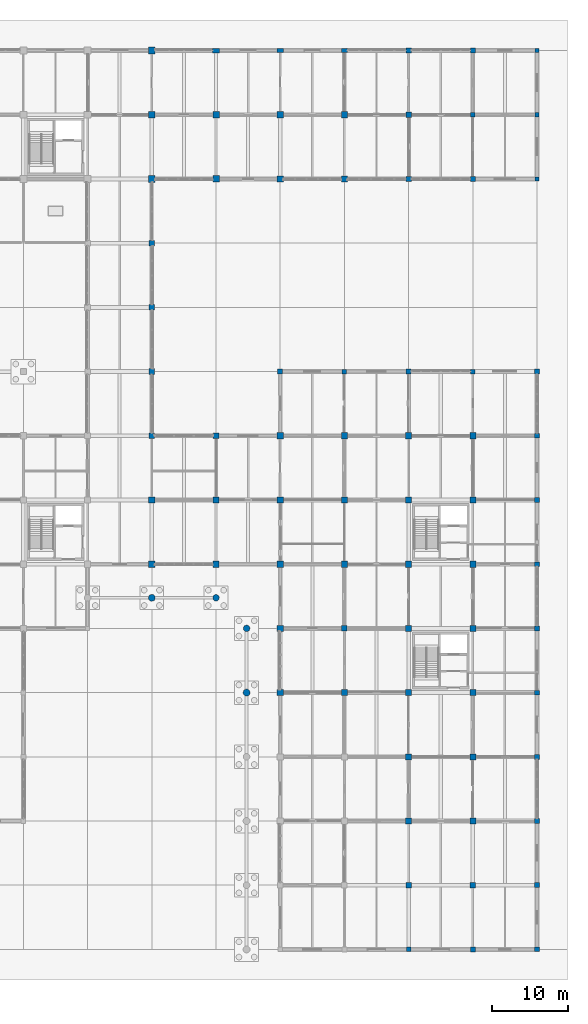
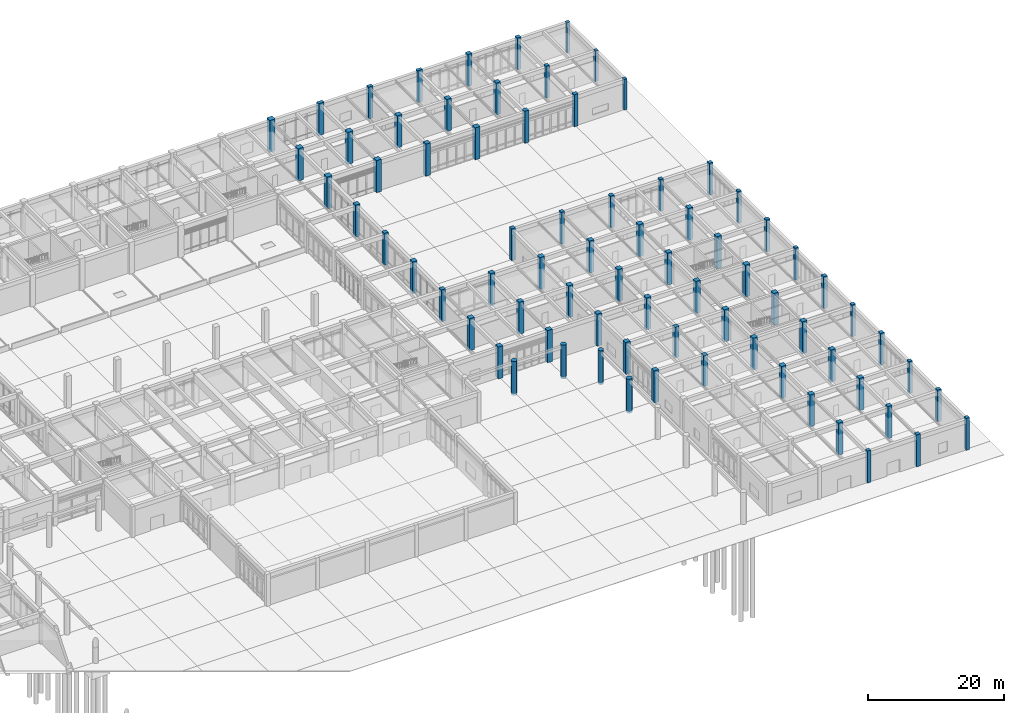
# One storey, part 3 of 91: 76 columns.
"""IFC4 building model written with IfcOpenShell, lengths in metres."""

import ifcopenshell
import ifcopenshell.guid

model = None  # the IFC model being written
_history = None  # IfcOwnerHistory: only IFC2X3 demands one
_inside = {}  # id of a spatial element -> (the spatial element, [elements in it])
_under = {}  # id of a project, library or spatial element -> (it, [spatial elements below it])
_declared = {}  # id of a project -> (the project, [libraries it declares])
_typed = {}  # id of a type object -> (the type object, [elements of that type])
_made_of = {}  # id of a material, layer set ... -> (it, [elements and type objects made of it])


def new_model(schema):
    """Start an empty IFC model of exactly this schema.

    Asked for "IFC4X3", IfcOpenShell would pick the latest addendum, in which some entities
    have other attributes; the version numbers below select the first issue.
    IFC2X3 requires an IfcOwnerHistory on every rooted entity: one is made here for all.
    """
    global model, _history
    if schema == "IFC4X3":
        model = ifcopenshell.file(schema_version=(4, 3, 0, 0))
    else:
        model = ifcopenshell.file(schema=schema)
    _inside.clear()
    _under.clear()
    _declared.clear()
    _typed.clear()
    _made_of.clear()
    _history = None
    if model.schema == "IFC2X3":
        org = make("IfcOrganization", Name="unknown")
        user = make(
            "IfcPersonAndOrganization",
            ThePerson=make("IfcPerson", FamilyName="unknown"),
            TheOrganization=org,
        )
        app = make(
            "IfcApplication",
            ApplicationDeveloper=org,
            Version="unknown",
            ApplicationFullName="unknown",
            ApplicationIdentifier="unknown",
        )
        _history = make(
            "IfcOwnerHistory",
            OwningUser=user,
            OwningApplication=app,
            ChangeAction="ADDED",
            CreationDate=0,
        )
    return model


def make(cls, **values):
    """One entity of the class cls with the attributes given. An attribute that is None is left unset."""
    return model.create_entity(
        cls, **{name: value for name, value in values.items() if value is not None}
    )


def rooted(cls, **values):
    """An entity with a GlobalId (a new one), such as an element, a storey or a relation."""
    return make(cls, GlobalId=ifcopenshell.guid.new(), OwnerHistory=_history, **values)


def si_unit(unit_type, name, prefix=None):
    """IfcSIUnit, for example si_unit("LENGTHUNIT", "METRE", prefix="MILLI")."""
    return make("IfcSIUnit", UnitType=unit_type, Prefix=prefix, Name=name)


def assignment(units):
    """IfcUnitAssignment: the units of a project."""
    return None if units is None else make("IfcUnitAssignment", Units=units)


def point(xyz):
    """IfcCartesianPoint."""
    return None if xyz is None else make("IfcCartesianPoint", Coordinates=xyz)


def direction(xyz):
    """IfcDirection."""
    return None if xyz is None else make("IfcDirection", DirectionRatios=xyz)


def frame(location, z_axis=None, x_axis=None):
    """IfcAxis2Placement3D, a coordinate frame: its origin and axes. An axis left out is left unset."""
    return make(
        "IfcAxis2Placement3D",
        Location=point(location),
        Axis=direction(z_axis),
        RefDirection=direction(x_axis),
    )


def frame_2d(location, x_axis=None):
    """IfcAxis2Placement2D, a coordinate frame in the plane: its origin and x axis."""
    return make(
        "IfcAxis2Placement2D", Location=point(location), RefDirection=direction(x_axis)
    )


def origin():
    """The frame at (0, 0, 0) with its axes left unset."""
    return frame((0.0, 0.0, 0.0))


def origin_2d():
    """The frame at (0, 0) in the plane with its x axis left unset."""
    return frame_2d((0.0, 0.0))


def place(relative_to, where):
    """IfcLocalPlacement: puts the frame where relative to a parent placement (None: the world)."""
    return make(
        "IfcLocalPlacement", PlacementRelTo=relative_to, RelativePlacement=where
    )


def context(
    kind, dimensions, precision=None, world=None, true_north=None, identifier=None
):
    """IfcGeometricRepresentationContext, for example the 3D "Model" context."""
    return make(
        "IfcGeometricRepresentationContext",
        ContextIdentifier=identifier,
        ContextType=kind,
        CoordinateSpaceDimension=dimensions,
        Precision=precision,
        WorldCoordinateSystem=world,
        TrueNorth=true_north,
    )


def subcontext(parent, identifier, kind, view, scale=None):
    """IfcGeometricRepresentationSubContext, for example "Body" below "Model"."""
    return make(
        "IfcGeometricRepresentationSubContext",
        ContextIdentifier=identifier,
        ContextType=kind,
        ParentContext=parent,
        TargetScale=scale,
        TargetView=view,
    )


def project(units=None, contexts=None):
    """IfcProject with its units and contexts."""
    return rooted(
        "IfcProject",
        Name="project",
        RepresentationContexts=contexts,
        UnitsInContext=assignment(units),
    )


def spatial(cls, under=None, at=None, **own):
    """A site, building, storey or space (cls), placed at a placement, below another one or the project."""
    s = rooted(cls, ObjectPlacement=at, **own)
    if under is not None:
        _under.setdefault(under.id(), (under, []))[1].append(s)
    return s


def profile(cls, at=None, kind="AREA", **sizes):
    """A parametric profile (cls). Its sizes go by their IFC names, for example OverallWidth=200.0."""
    return make(cls, ProfileType=kind, Position=at, **sizes)


def rectangle(**sizes):
    """IfcRectangleProfileDef."""
    return profile("IfcRectangleProfileDef", **sizes)


def circle(**sizes):
    """IfcCircleProfileDef."""
    return profile("IfcCircleProfileDef", **sizes)


def extrude(swept, where, along, depth):
    """IfcExtrudedAreaSolid: the profile swept, set in the frame where, extruded along a direction by depth."""
    return make(
        "IfcExtrudedAreaSolid",
        SweptArea=swept,
        Position=where,
        ExtrudedDirection=direction(along),
        Depth=depth,
    )


def shape(context_of_items, identifier, shape_type, items):
    """IfcShapeRepresentation: the items that make up one representation, for example the "Body"."""
    return make(
        "IfcShapeRepresentation",
        ContextOfItems=context_of_items,
        RepresentationIdentifier=identifier,
        RepresentationType=shape_type,
        Items=items,
    )


def material(Name=None, Category=None):
    """IfcMaterial."""
    return make("IfcMaterial", Name=Name, Category=Category)


def material_profile(
    of_material, cross_section, Name=None, Category=None, Priority=None
):
    """IfcMaterialProfile: a cross section and its material."""
    return make(
        "IfcMaterialProfile",
        Name=Name,
        Material=of_material,
        Profile=cross_section,
        Priority=Priority,
        Category=Category,
    )


def profile_set(profiles, Name=None, composite=None):
    """IfcMaterialProfileSet."""
    return make(
        "IfcMaterialProfileSet",
        Name=Name,
        MaterialProfiles=profiles,
        CompositeProfile=composite,
    )


def made_of(thing, what):
    """Note that an element or type object is made of a material, layer set ...; save() writes the relation."""
    if what is not None:
        _made_of.setdefault(what.id(), (what, []))[1].append(thing)
    return thing


def type_object(cls, material=None, **own):
    """A type object (cls), such as IfcWallType, which elements share."""
    return made_of(rooted(cls, **own), material)


def element(
    cls,
    number,
    at=None,
    inside=None,
    cuts=None,
    type_object=None,
    material=None,
    context=None,
    identifier="Body",
    shape_type=None,
    held_by="IfcProductDefinitionShape",
    body=None,
    shapes=None,
    **own,
):
    """One element of the class cls, such as IfcWall. Its Tag is "e" and its number.

    at: its placement. inside: the storey or other place that contains it. cuts: it is an
    opening in that element (IfcRelVoidsElement). A single representation is given by context,
    identifier, shape_type and body (its items); several are given by shapes. held_by: the class
    of the entity that holds the representations. save() writes the other relations.
    """
    e = rooted(cls, Tag="e%d" % number, ObjectPlacement=at, **own)
    if body is not None:
        shapes = [shape(context, identifier, shape_type, body)]
    if shapes is not None:
        e.Representation = make(held_by, Representations=shapes)
    if inside is not None:
        _inside.setdefault(inside.id(), (inside, []))[1].append(e)
    if cuts is not None:
        rooted(
            "IfcRelVoidsElement", RelatingBuildingElement=cuts, RelatedOpeningElement=e
        )
    if type_object is not None:
        _typed.setdefault(type_object.id(), (type_object, []))[1].append(e)
    return made_of(e, material)


def aggregate(whole, parts):
    """IfcRelAggregates: a whole, such as a stair, and the parts it consists of."""
    return rooted("IfcRelAggregates", RelatingObject=whole, RelatedObjects=parts)


def save(model, path):
    """Write the relations noted so far, then the file.

    IfcRelAggregates (storeys below a building ...), IfcRelContainedInSpatialStructure (elements
    in a storey), IfcRelDefinesByType, IfcRelAssociatesMaterial and IfcRelDeclares: one each for
    every whole, place, type object, material and project.
    """
    for whole, parts in _under.values():
        aggregate(whole, parts)
    for where, things in _inside.values():
        rooted(
            "IfcRelContainedInSpatialStructure",
            RelatedElements=things,
            RelatingStructure=where,
        )
    for kind, things in _typed.values():
        rooted("IfcRelDefinesByType", RelatedObjects=things, RelatingType=kind)
    for what, things in _made_of.values():
        rooted("IfcRelAssociatesMaterial", RelatedObjects=things, RelatingMaterial=what)
    for by, libraries in _declared.values():
        rooted("IfcRelDeclares", RelatingContext=by, RelatedDefinitions=libraries)
    model.write(path)


model = new_model("IFC4")

# Units and contexts
model_context = context("Model", 3, precision=1e-05, world=origin(), true_north=direction((0.0, 1.0)))
body_context = subcontext(model_context, "Body", "Model", "MODEL_VIEW")
ifc_project = project(units=[si_unit("LENGTHUNIT", "METRE"), si_unit("AREAUNIT", "SQUARE_METRE"), si_unit("VOLUMEUNIT", "CUBIC_METRE"), si_unit("PLANEANGLEUNIT", "RADIAN"), si_unit("MASSUNIT", "GRAM", prefix="KILO")], contexts=[model_context])

# Site, building, storey
site_placement = place(None, origin())
site = spatial("IfcSite", under=ifc_project, at=site_placement, CompositionType="ELEMENT")
building_placement = place(site_placement, origin())
building = spatial("IfcBuilding", under=site, at=building_placement, Name="Porcellanite Civic Hall", CompositionType="ELEMENT")
storey_placement = place(building_placement, origin())
storey = spatial("IfcBuildingStorey", under=building, at=storey_placement, Name="L00", CompositionType="ELEMENT", Elevation=0.0)

# Columns
ifc_material_1 = material(Name="Concrete N50 (50 MPa)", Category="concrete")
ifc_material_profile_1 = material_profile(ifc_material_1, rectangle(XDim=0.550048828125, YDim=0.550048828125, at=origin_2d()), Name="RC-550x550")
ifc_profile_set_1 = profile_set([ifc_material_profile_1], Name="Concrete N50 (50 MPa)")
column_type_1 = type_object("IfcColumnType", Name="COL-550", PredefinedType="COLUMN", material=ifc_profile_set_1)
for number, where, z_axis, x_axis, name in (
    (1, (176.39990234375, 100.800048828125, 0.0), (0.0, 0.0, 1.0), (1.0, 0.0, 0.0), "Column L00 21-12"),
    (2, (176.39990234375, 109.199951171875, 0.0), (0.0, 0.0, 1.0), (1.0, 0.0, 0.0), "Column L00 21-13"),
    (3, (176.39990234375, 117.60009765625, 0.0), (0.0, 0.0, 1.0), (1.0, 0.0, 0.0), "Column L00 21-14"),
):
    element("IfcColumn", number, at=place(storey_placement, frame(where, z_axis=z_axis, x_axis=x_axis)), inside=storey, type_object=column_type_1, Name=name, PredefinedType="COLUMN", context=body_context, shape_type="SweptSolid", body=[
        extrude(rectangle(XDim=0.550048828125, YDim=0.550048828125, at=origin_2d()), origin(), (0.0, 0.0, 1.0), 5.510009765625),
    ])
ifc_material_2 = material(Name="Concrete N50 (50 MPa)", Category="concrete")
ifc_material_profile_2 = material_profile(ifc_material_2, rectangle(XDim=0.60009765625, YDim=0.60009765625, at=origin_2d()), Name="RC-600x600")
ifc_profile_set_2 = profile_set([ifc_material_profile_2], Name="Concrete N50 (50 MPa)")
column_type_2 = type_object("IfcColumnType", Name="COL-600", PredefinedType="COLUMN", material=ifc_profile_set_2)
for number, where, z_axis, x_axis, name in (
    (4, (151.199951171875, 75.60009765625, 0.0), (0.0, 0.0, 1.0), (1.0, 0.0, 0.0), "Column L00 18-9"),
    (5, (159.60009765625, 0.0, 0.0), (0.0, 0.0, 1.0), (1.0, 0.0, 0.0), "Column L00 19-0"),
    (6, (168.0, 75.60009765625, 0.0), (0.0, 0.0, 1.0), (1.0, 0.0, 0.0), "Column L00 20-9"),
    (7, (168.0, 109.199951171875, 0.0), (0.0, 0.0, 1.0), (1.0, 0.0, 0.0), "Column L00 20-13"),
    (8, (176.39990234375, 0.0, 0.0), (0.0, 0.0, 1.0), (1.0, 0.0, 0.0), "Column L00 21-0"),
    (9, (176.39990234375, 16.800048828125, 0.0), (0.0, 0.0, 1.0), (1.0, 0.0, 0.0), "Column L00 21-2"),
    (10, (176.39990234375, 33.60009765625, 0.0), (0.0, 0.0, 1.0), (1.0, 0.0, 0.0), "Column L00 21-4"),
    (11, (176.39990234375, 50.39990234375, 0.0), (0.0, 0.0, 1.0), (1.0, 0.0, 0.0), "Column L00 21-6"),
    (12, (176.39990234375, 67.199951171875, 0.0), (0.0, 0.0, 1.0), (1.0, 0.0, 0.0), "Column L00 21-8"),
):
    element("IfcColumn", number, at=place(storey_placement, frame(where, z_axis=z_axis, x_axis=x_axis)), inside=storey, type_object=column_type_2, Name=name, PredefinedType="COLUMN", context=body_context, shape_type="SweptSolid", body=[
        extrude(rectangle(XDim=0.60009765625, YDim=0.60009765625, at=origin_2d()), origin(), (0.0, 0.0, 1.0), 5.760009765625),
    ])
ifc_material_3 = material(Name="Concrete N50 (50 MPa)", Category="concrete")
ifc_material_profile_3 = material_profile(ifc_material_3, rectangle(XDim=0.64990234375, YDim=0.64990234375, at=origin_2d()), Name="RC-650x650")
ifc_profile_set_3 = profile_set([ifc_material_profile_3], Name="Concrete N50 (50 MPa)")
column_type_3 = type_object("IfcColumnType", Name="COL-650", PredefinedType="COLUMN", material=ifc_profile_set_3)
for number, where, z_axis, x_axis, name in (
    (13, (142.800048828125, 75.60009765625, 0.0), (0.0, 0.0, 1.0), (1.0, 0.0, 0.0), "Column L00 17-9"),
    (14, (159.60009765625, 75.60009765625, 0.0), (0.0, 0.0, 1.0), (1.0, 0.0, 0.0), "Column L00 19-9"),
    (15, (168.0, 0.0, 0.0), (0.0, 0.0, 1.0), (1.0, 0.0, 0.0), "Column L00 20-0"),
    (16, (168.0, 100.800048828125, 0.0), (0.0, 0.0, 1.0), (1.0, 0.0, 0.0), "Column L00 20-12"),
    (17, (168.0, 117.60009765625, 0.0), (0.0, 0.0, 1.0), (1.0, 0.0, 0.0), "Column L00 20-14"),
    (18, (176.39990234375, 8.39990234375, 0.0), (0.0, 0.0, 1.0), (1.0, 0.0, 0.0), "Column L00 21-1"),
    (19, (176.39990234375, 25.199951171875, 0.0), (0.0, 0.0, 1.0), (1.0, 0.0, 0.0), "Column L00 21-3"),
    (20, (176.39990234375, 42.0, 0.0), (0.0, 0.0, 1.0), (1.0, 0.0, 0.0), "Column L00 21-5"),
    (21, (176.39990234375, 58.800048828125, 0.0), (0.0, 0.0, 1.0), (1.0, 0.0, 0.0), "Column L00 21-7"),
    (22, (176.39990234375, 75.60009765625, 0.0), (0.0, 0.0, 1.0), (1.0, 0.0, 0.0), "Column L00 21-9"),
):
    element("IfcColumn", number, at=place(storey_placement, frame(where, z_axis=z_axis, x_axis=x_axis)), inside=storey, type_object=column_type_3, Name=name, PredefinedType="COLUMN", context=body_context, shape_type="SweptSolid", body=[
        extrude(rectangle(XDim=0.64990234375, YDim=0.64990234375, at=origin_2d()), origin(), (0.0, 0.0, 1.0), 5.760009765625),
    ])
ifc_material_4 = material(Name="Concrete N50 (50 MPa)", Category="concrete")
ifc_material_profile_4 = material_profile(ifc_material_4, rectangle(XDim=0.699951171875, YDim=0.699951171875, at=origin_2d()), Name="RC-700x700")
ifc_profile_set_4 = profile_set([ifc_material_profile_4], Name="Concrete N50 (50 MPa)")
column_type_4 = type_object("IfcColumnType", Name="COL-700", PredefinedType="COLUMN", material=ifc_profile_set_4)
for number, where, z_axis, x_axis, name in (
    (23, (126.0, 67.199951171875, 0.0), (0.0, 0.0, 1.0), (1.0, 0.0, 0.0), "Column L00 15-8"),
    (24, (126.0, 84.0, 0.0), (0.0, 0.0, 1.0), (1.0, 0.0, 0.0), "Column L00 15-10"),
):
    element("IfcColumn", number, at=place(storey_placement, frame(where, z_axis=z_axis, x_axis=x_axis)), inside=storey, type_object=column_type_4, Name=name, PredefinedType="COLUMN", context=body_context, shape_type="SweptSolid", body=[
        extrude(rectangle(XDim=0.699951171875, YDim=0.699951171875, at=origin_2d()), origin(), (0.0, 0.0, 1.0), 5.760009765625),
    ])
column_1_placement = place(storey_placement, frame((151.199951171875, 42.0, 0.0), z_axis=(0.0, 0.0, 1.0), x_axis=(1.0, 0.0, 0.0)))
element("IfcColumn", 25, at=column_1_placement, inside=storey, type_object=column_type_4, Name="Column L00 18-5", PredefinedType="COLUMN", context=body_context, shape_type="SweptSolid", body=[
    extrude(rectangle(XDim=0.699951171875, YDim=0.699951171875, at=origin_2d()), origin(), (0.0, 0.0, 1.0), 5.510009765625),
])
for number, where, z_axis, x_axis, name in (
    (26, (159.60009765625, 100.800048828125, 0.0), (0.0, 0.0, 1.0), (1.0, 0.0, 0.0), "Column L00 19-12"),
    (27, (159.60009765625, 117.60009765625, 0.0), (0.0, 0.0, 1.0), (1.0, 0.0, 0.0), "Column L00 19-14"),
    (28, (168.0, 8.39990234375, 0.0), (0.0, 0.0, 1.0), (1.0, 0.0, 0.0), "Column L00 20-1"),
):
    element("IfcColumn", number, at=place(storey_placement, frame(where, z_axis=z_axis, x_axis=x_axis)), inside=storey, type_object=column_type_4, Name=name, PredefinedType="COLUMN", context=body_context, shape_type="SweptSolid", body=[
        extrude(rectangle(XDim=0.699951171875, YDim=0.699951171875, at=origin_2d()), origin(), (0.0, 0.0, 1.0), 5.760009765625),
    ])
ifc_material_5 = material(Name="Concrete N50 (50 MPa)", Category="concrete")
ifc_material_profile_5 = material_profile(ifc_material_5, rectangle(XDim=0.75, YDim=0.75, at=origin_2d()), Name="RC-750x750")
ifc_profile_set_5 = profile_set([ifc_material_profile_5], Name="Concrete N50 (50 MPa)")
column_type_5 = type_object("IfcColumnType", Name="COL-750", PredefinedType="COLUMN", material=ifc_profile_set_5)
for number, where, z_axis, x_axis, name in (
    (29, (126.0, 75.60009765625, 0.0), (0.0, 0.0, 1.0), (1.0, 0.0, 0.0), "Column L00 15-9"),
    (30, (126.0, 92.39990234375, 0.0), (0.0, 0.0, 1.0), (1.0, 0.0, 0.0), "Column L00 15-11"),
    (31, (134.39990234375, 67.199951171875, 0.0), (0.0, 0.0, 1.0), (1.0, 0.0, 0.0), "Column L00 16-8"),
):
    element("IfcColumn", number, at=place(storey_placement, frame(where, z_axis=z_axis, x_axis=x_axis)), inside=storey, type_object=column_type_5, Name=name, PredefinedType="COLUMN", context=body_context, shape_type="SweptSolid", body=[
        extrude(rectangle(XDim=0.75, YDim=0.75, at=origin_2d()), origin(), (0.0, 0.0, 1.0), 5.760009765625),
    ])
column_2_placement = place(storey_placement, frame((151.199951171875, 33.60009765625, 0.0), z_axis=(0.0, 0.0, 1.0), x_axis=(1.0, 0.0, 0.0)))
element("IfcColumn", 32, at=column_2_placement, inside=storey, type_object=column_type_5, Name="Column L00 18-4", PredefinedType="COLUMN", context=body_context, shape_type="SweptSolid", body=[
    extrude(rectangle(XDim=0.75, YDim=0.75, at=origin_2d()), origin(), (0.0, 0.0, 1.0), 5.510009765625),
])
for number, where, z_axis, x_axis, name in (
    (33, (159.60009765625, 8.39990234375, 0.0), (0.0, 0.0, 1.0), (1.0, 0.0, 0.0), "Column L00 19-1"),
    (34, (159.60009765625, 109.199951171875, 0.0), (0.0, 0.0, 1.0), (1.0, 0.0, 0.0), "Column L00 19-13"),
):
    element("IfcColumn", number, at=place(storey_placement, frame(where, z_axis=z_axis, x_axis=x_axis)), inside=storey, type_object=column_type_5, Name=name, PredefinedType="COLUMN", context=body_context, shape_type="SweptSolid", body=[
        extrude(rectangle(XDim=0.75, YDim=0.75, at=origin_2d()), origin(), (0.0, 0.0, 1.0), 5.760009765625),
    ])
ifc_material_6 = material(Name="Concrete N50 (50 MPa)", Category="concrete")
ifc_material_profile_6 = material_profile(ifc_material_6, rectangle(XDim=0.800048828125, YDim=0.800048828125, at=origin_2d()), Name="RC-800x800")
ifc_profile_set_6 = profile_set([ifc_material_profile_6], Name="Concrete N50 (50 MPa)")
column_type_6 = type_object("IfcColumnType", Name="COL-800", PredefinedType="COLUMN", material=ifc_profile_set_6)
for number, where, z_axis, x_axis, name in (
    (35, (126.0, 50.39990234375, 0.0), (0.0, 0.0, 1.0), (1.0, 0.0, 0.0), "Column L00 15-6"),
    (36, (126.0, 58.800048828125, 0.0), (0.0, 0.0, 1.0), (1.0, 0.0, 0.0), "Column L00 15-7"),
    (37, (134.39990234375, 50.39990234375, 0.0), (0.0, 0.0, 1.0), (1.0, 0.0, 0.0), "Column L00 16-6"),
    (38, (134.39990234375, 58.800048828125, 0.0), (0.0, 0.0, 1.0), (1.0, 0.0, 0.0), "Column L00 16-7"),
    (39, (142.800048828125, 33.60009765625, 0.0), (0.0, 0.0, 1.0), (1.0, 0.0, 0.0), "Column L00 17-4"),
    (40, (142.800048828125, 42.0, 0.0), (0.0, 0.0, 1.0), (1.0, 0.0, 0.0), "Column L00 17-5"),
    (41, (142.800048828125, 50.39990234375, 0.0), (0.0, 0.0, 1.0), (1.0, 0.0, 0.0), "Column L00 17-6"),
    (42, (142.800048828125, 58.800048828125, 0.0), (0.0, 0.0, 1.0), (1.0, 0.0, 0.0), "Column L00 17-7"),
    (43, (142.800048828125, 67.199951171875, 0.0), (0.0, 0.0, 1.0), (1.0, 0.0, 0.0), "Column L00 17-8"),
    (44, (142.800048828125, 100.800048828125, 0.0), (0.0, 0.0, 1.0), (1.0, 0.0, 0.0), "Column L00 17-12"),
    (45, (142.800048828125, 109.199951171875, 0.0), (0.0, 0.0, 1.0), (1.0, 0.0, 0.0), "Column L00 17-13"),
    (46, (151.199951171875, 50.39990234375, 0.0), (0.0, 0.0, 1.0), (1.0, 0.0, 0.0), "Column L00 18-6"),
    (47, (151.199951171875, 58.800048828125, 0.0), (0.0, 0.0, 1.0), (1.0, 0.0, 0.0), "Column L00 18-7"),
    (48, (151.199951171875, 67.199951171875, 0.0), (0.0, 0.0, 1.0), (1.0, 0.0, 0.0), "Column L00 18-8"),
    (49, (151.199951171875, 100.800048828125, 0.0), (0.0, 0.0, 1.0), (1.0, 0.0, 0.0), "Column L00 18-12"),
    (50, (151.199951171875, 109.199951171875, 0.0), (0.0, 0.0, 1.0), (1.0, 0.0, 0.0), "Column L00 18-13"),
    (51, (159.60009765625, 16.800048828125, 0.0), (0.0, 0.0, 1.0), (1.0, 0.0, 0.0), "Column L00 19-2"),
    (52, (159.60009765625, 25.199951171875, 0.0), (0.0, 0.0, 1.0), (1.0, 0.0, 0.0), "Column L00 19-3"),
    (53, (159.60009765625, 33.60009765625, 0.0), (0.0, 0.0, 1.0), (1.0, 0.0, 0.0), "Column L00 19-4"),
    (54, (159.60009765625, 42.0, 0.0), (0.0, 0.0, 1.0), (1.0, 0.0, 0.0), "Column L00 19-5"),
    (55, (159.60009765625, 50.39990234375, 0.0), (0.0, 0.0, 1.0), (1.0, 0.0, 0.0), "Column L00 19-6"),
    (56, (159.60009765625, 58.800048828125, 0.0), (0.0, 0.0, 1.0), (1.0, 0.0, 0.0), "Column L00 19-7"),
    (57, (159.60009765625, 67.199951171875, 0.0), (0.0, 0.0, 1.0), (1.0, 0.0, 0.0), "Column L00 19-8"),
    (58, (168.0, 16.800048828125, 0.0), (0.0, 0.0, 1.0), (1.0, 0.0, 0.0), "Column L00 20-2"),
    (59, (168.0, 25.199951171875, 0.0), (0.0, 0.0, 1.0), (1.0, 0.0, 0.0), "Column L00 20-3"),
    (60, (168.0, 33.60009765625, 0.0), (0.0, 0.0, 1.0), (1.0, 0.0, 0.0), "Column L00 20-4"),
    (61, (168.0, 42.0, 0.0), (0.0, 0.0, 1.0), (1.0, 0.0, 0.0), "Column L00 20-5"),
    (62, (168.0, 50.39990234375, 0.0), (0.0, 0.0, 1.0), (1.0, 0.0, 0.0), "Column L00 20-6"),
    (63, (168.0, 58.800048828125, 0.0), (0.0, 0.0, 1.0), (1.0, 0.0, 0.0), "Column L00 20-7"),
    (64, (168.0, 67.199951171875, 0.0), (0.0, 0.0, 1.0), (1.0, 0.0, 0.0), "Column L00 20-8"),
):
    element("IfcColumn", number, at=place(storey_placement, frame(where, z_axis=z_axis, x_axis=x_axis)), inside=storey, type_object=column_type_6, Name=name, PredefinedType="COLUMN", context=body_context, shape_type="SweptSolid", body=[
        extrude(rectangle(XDim=0.800048828125, YDim=0.800048828125, at=origin_2d()), origin(), (0.0, 0.0, 1.0), 5.760009765625),
    ])
ifc_material_7 = material(Name="Concrete N50 (50 MPa)", Category="concrete")
ifc_material_profile_7 = material_profile(ifc_material_7, rectangle(XDim=0.800048828125, YDim=0.550048828125, at=origin_2d()), Name="RC-800x550")
ifc_profile_set_7 = profile_set([ifc_material_profile_7], Name="Concrete N50 (50 MPa)")
column_type_7 = type_object("IfcColumnType", Name="COL-800x550", PredefinedType="COLUMN", material=ifc_profile_set_7)
for number, where, z_axis, x_axis, name in (
    (65, (142.800048828125, 117.60009765625, 0.0), (0.0, 0.0, 1.0), (1.0, 0.0, 0.0), "Column L00 17-14"),
    (66, (151.199951171875, 117.60009765625, 0.0), (0.0, 0.0, 1.0), (1.0, 0.0, 0.0), "Column L00 18-14"),
):
    element("IfcColumn", number, at=place(storey_placement, frame(where, z_axis=z_axis, x_axis=x_axis)), inside=storey, type_object=column_type_7, Name=name, PredefinedType="COLUMN", context=body_context, shape_type="SweptSolid", body=[
        extrude(rectangle(XDim=0.800048828125, YDim=0.550048828125, at=origin_2d()), origin(), (0.0, 0.0, 1.0), 5.760009765625),
    ])
ifc_material_8 = material(Name="Concrete N50 (50 MPa)", Category="concrete")
ifc_material_profile_8 = material_profile(ifc_material_8, rectangle(XDim=0.85009765625, YDim=0.85009765625, at=origin_2d()), Name="RC-850x850")
ifc_profile_set_8 = profile_set([ifc_material_profile_8], Name="Concrete N50 (50 MPa)")
column_type_8 = type_object("IfcColumnType", Name="COL-850", PredefinedType="COLUMN", material=ifc_profile_set_8)
for number, where, z_axis, x_axis, name in (
    (67, (134.39990234375, 100.800048828125, 0.0), (0.0, 0.0, 1.0), (1.0, 0.0, 0.0), "Column L00 16-12"),
    (68, (134.39990234375, 109.199951171875, 0.0), (0.0, 0.0, 1.0), (1.0, 0.0, 0.0), "Column L00 16-13"),
):
    element("IfcColumn", number, at=place(storey_placement, frame(where, z_axis=z_axis, x_axis=x_axis)), inside=storey, type_object=column_type_8, Name=name, PredefinedType="COLUMN", context=body_context, shape_type="SweptSolid", body=[
        extrude(rectangle(XDim=0.85009765625, YDim=0.85009765625, at=origin_2d()), origin(), (0.0, 0.0, 1.0), 5.760009765625),
    ])
ifc_material_9 = material(Name="Concrete N50 (50 MPa)", Category="concrete")
ifc_material_profile_9 = material_profile(ifc_material_9, rectangle(XDim=0.89990234375, YDim=0.89990234375, at=origin_2d()), Name="RC-900x900")
ifc_profile_set_9 = profile_set([ifc_material_profile_9], Name="Concrete N50 (50 MPa)")
column_type_9 = type_object("IfcColumnType", Name="COL-900", PredefinedType="COLUMN", material=ifc_profile_set_9)
for number, where, z_axis, x_axis, name in (
    (69, (126.0, 100.800048828125, 0.0), (0.0, 0.0, 1.0), (1.0, 0.0, 0.0), "Column L00 15-12"),
    (70, (126.0, 109.199951171875, 0.0), (0.0, 0.0, 1.0), (1.0, 0.0, 0.0), "Column L00 15-13"),
    (71, (126.0, 117.60009765625, 0.0), (0.0, 0.0, 1.0), (1.0, 0.0, 0.0), "Column L00 15-14"),
):
    element("IfcColumn", number, at=place(storey_placement, frame(where, z_axis=z_axis, x_axis=x_axis)), inside=storey, type_object=column_type_9, Name=name, PredefinedType="COLUMN", context=body_context, shape_type="SweptSolid", body=[
        extrude(rectangle(XDim=0.89990234375, YDim=0.89990234375, at=origin_2d()), origin(), (0.0, 0.0, 1.0), 5.760009765625),
    ])
ifc_material_10 = material(Name="Concrete N50 (50 MPa)", Category="concrete")
ifc_material_profile_10 = material_profile(ifc_material_10, rectangle(XDim=0.89990234375, YDim=0.60009765625, at=origin_2d()), Name="RC-900x600")
ifc_profile_set_10 = profile_set([ifc_material_profile_10], Name="Concrete N50 (50 MPa)")
column_type_10 = type_object("IfcColumnType", Name="COL-900x600", PredefinedType="COLUMN", material=ifc_profile_set_10)
column_3_placement = place(storey_placement, frame((134.39990234375, 117.60009765625, 0.0), z_axis=(0.0, 0.0, 1.0), x_axis=(1.0, 0.0, 0.0)))
element("IfcColumn", 72, at=column_3_placement, inside=storey, type_object=column_type_10, Name="Column L00 16-14", PredefinedType="COLUMN", context=body_context, shape_type="SweptSolid", body=[
    extrude(rectangle(XDim=0.89990234375, YDim=0.60009765625, at=origin_2d()), origin(), (0.0, 0.0, 1.0), 5.760009765625),
])
ifc_material_11 = material(Name="Concrete N50 (50 MPa)", Category="concrete")
ifc_material_profile_11 = material_profile(ifc_material_11, circle(Radius=0.425048828125, at=origin_2d()), Name="RC-D850")
ifc_profile_set_11 = profile_set([ifc_material_profile_11], Name="Concrete N50 (50 MPa)")
column_type_11 = type_object("IfcColumnType", Name="PIER-D850", PredefinedType="PILASTER", material=ifc_profile_set_11)
for number, where, z_axis, x_axis, name in (
    (73, (138.39990234375, 42.0, -0.35009765625), (0.0, 0.0, 1.0), (1.0, 0.0, 0.0), "Colonnade pier L00 COL-E-P06"),
    (74, (134.39990234375, 46.0, -0.35009765625), (0.0, 0.0, 1.0), (1.0, 0.0, 0.0), "Colonnade pier L00 COL-NE-P03"),
):
    element("IfcColumn", number, at=place(storey_placement, frame(where, z_axis=z_axis, x_axis=x_axis)), inside=storey, type_object=column_type_11, Name=name, PredefinedType="PILASTER", context=body_context, shape_type="SweptSolid", body=[
        extrude(circle(Radius=0.425048828125, at=origin_2d()), origin(), (0.0, 0.0, 1.0), 6.110107421875),
    ])
ifc_material_12 = material(Name="Concrete N50 (50 MPa)", Category="concrete")
ifc_material_profile_12 = material_profile(ifc_material_12, circle(Radius=0.449951171875, at=origin_2d()), Name="RC-D900")
ifc_profile_set_12 = profile_set([ifc_material_profile_12], Name="Concrete N50 (50 MPa)")
column_type_12 = type_object("IfcColumnType", Name="PIER-D900", PredefinedType="PILASTER", material=ifc_profile_set_12)
for number, where, z_axis, x_axis, name in (
    (75, (138.39990234375, 33.60009765625, -0.35009765625), (0.0, 0.0, 1.0), (1.0, 0.0, 0.0), "Colonnade pier L00 COL-E-P05"),
    (76, (126.0, 46.0, -0.35009765625), (0.0, 0.0, 1.0), (1.0, 0.0, 0.0), "Colonnade pier L00 COL-NE-P02"),
):
    element("IfcColumn", number, at=place(storey_placement, frame(where, z_axis=z_axis, x_axis=x_axis)), inside=storey, type_object=column_type_12, Name=name, PredefinedType="PILASTER", context=body_context, shape_type="SweptSolid", body=[
        extrude(circle(Radius=0.449951171875, at=origin_2d()), origin(), (0.0, 0.0, 1.0), 6.110107421875),
    ])

save(model, "model.ifc")
